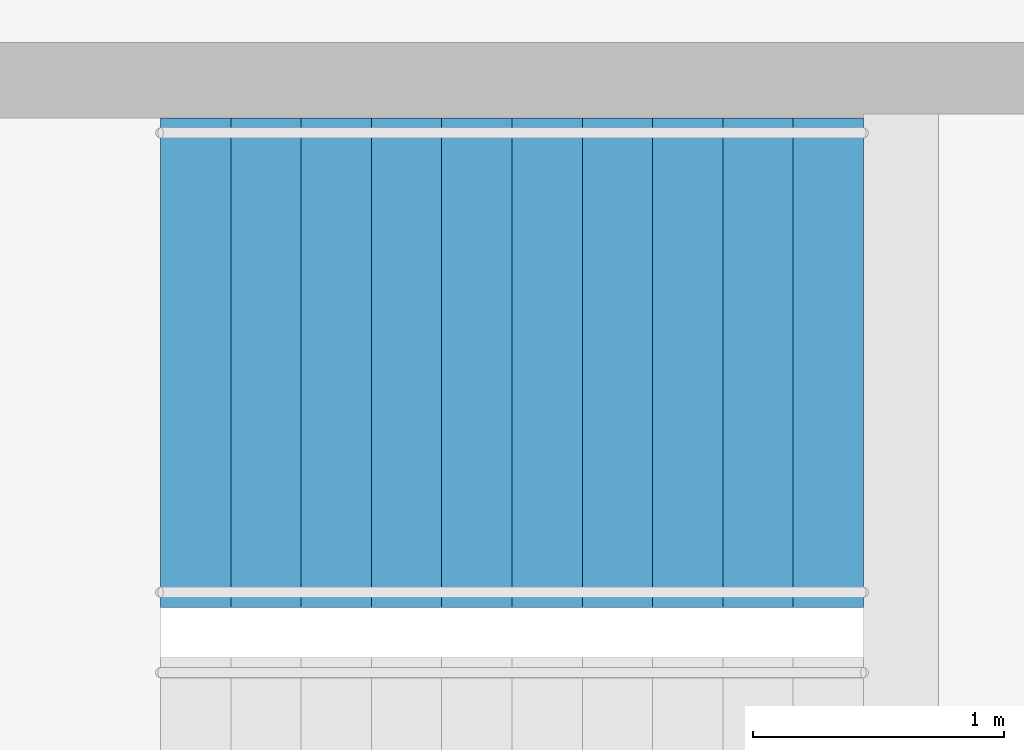
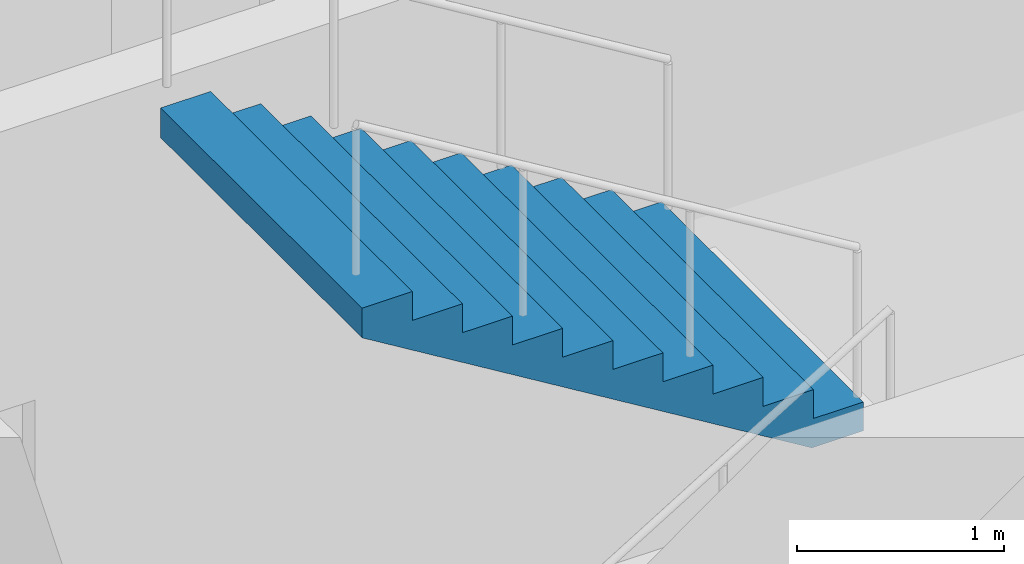
# One storey, part 22 of 27: 1 stair flight, 1 element without a shape of its own.
"""IFC4 building model written with IfcOpenShell, lengths in metres."""

from ifc_helpers import new_model, si_unit, direction, frame, origin, place, context, subcontext, project, spatial, triangles, material, type_object, element, aggregate, save


model = new_model("IFC4")

# Units and contexts
model_context = context("Model", 3, precision=1e-05, world=origin(), true_north=direction((0.0, 1.0)))
body_context = subcontext(model_context, "Body", "Model", "MODEL_VIEW")
ifc_project = project(units=[si_unit("LENGTHUNIT", "METRE"), si_unit("AREAUNIT", "SQUARE_METRE"), si_unit("VOLUMEUNIT", "CUBIC_METRE"), si_unit("PLANEANGLEUNIT", "RADIAN"), si_unit("MASSUNIT", "GRAM", prefix="KILO")], contexts=[model_context])

# Site, building, storey
site_placement = place(None, origin())
site = spatial("IfcSite", under=ifc_project, at=site_placement, CompositionType="ELEMENT")
building_placement = place(site_placement, origin())
building = spatial("IfcBuilding", under=site, at=building_placement, Name="Orbita Commons", CompositionType="ELEMENT")
storey_placement = place(building_placement, frame((0.0, 0.0, 246.550048828125)))
storey = spatial("IfcBuildingStorey", under=building, at=storey_placement, Name="L61", CompositionType="ELEMENT", Elevation=246.550048828125)

# Stair, stair flight
ifc_material_1 = material(Name="Precast concrete C40/50", Category="concrete")
stair_type = type_object("IfcStairType", Name="Exit stair S1 2 flights 11 risers 170", PredefinedType="HALF_TURN_STAIR", material=ifc_material_1)
stair_placement = place(storey_placement, origin())
stair = element("IfcStair", 1, at=stair_placement, inside=storey, type_object=stair_type, Name="Exit stair S1 L61", PredefinedType="HALF_TURN_STAIR")
ifc_material_2 = material(Name="Precast concrete C40/50", Category="concrete")
stair_flight_type = type_object("IfcStairFlightType", Name="Stair flight 11 risers 170 x 280", PredefinedType="STRAIGHT", material=ifc_material_2)
stair_flight_placement = place(storey_placement, frame((23.25, 29.27490234375, 1.875), z_axis=(0.0, 0.0, 1.0), x_axis=(-1.0, 0.0, 0.0)))
stair_flight = element("IfcStairFlight", 2, at=stair_flight_placement, type_object=stair_flight_type, Name="S1 flight 2", NumberOfRisers=11, NumberOfTreads=10, PredefinedType="STRAIGHT", RiserHeight=0.170454545, TreadLength=0.28, context=body_context, shape_type="Tessellation", body=[
    triangles([(0.0, 0.974976, 0.0), (0.0, 0.974976, 0.021307), (0.0, 0.81248, 0.021307), (0.0, 0.81248, 0.0), (0.0, 0.649984, 0.021307), (0.0, 0.649984, 0.0), (0.0, 0.487488, 0.021307), (0.0, 0.487488, 0.0), (0.0, 0.324992, 0.021307), (0.0, 0.324992, 0.0), (0.0, 0.162496, 0.021307), (0.0, 0.162496, 0.0), (0.0, 0.0, 0.021307), (0.0, 0.0, 0.0), (0.0, -0.162496, 0.021307), (0.0, -0.162496, 0.0), (0.0, -0.324992, 0.021307), (0.0, -0.324992, 0.0), (0.0, -0.487488, 0.021307), (0.0, -0.487488, 0.0), (0.0, -0.649984, 0.021307), (0.0, -0.649984, 0.0), (0.0, -0.81248, 0.021307), (0.0, -0.81248, 0.0), (0.0, -0.974976, 0.021307), (0.0, -0.974976, 0.0), (0.0, 0.974976, 0.042614), (0.0, 0.81248, 0.042614), (0.0, 0.649984, 0.042614), (0.0, 0.487488, 0.042614), (0.0, 0.324992, 0.042614), (0.0, 0.162496, 0.042614), (0.0, 0.0, 0.042614), (0.0, -0.162496, 0.042614), (0.0, -0.324992, 0.042614), (0.0, -0.487488, 0.042614), (0.0, -0.649984, 0.042614), (0.0, -0.81248, 0.042614), (0.0, -0.974976, 0.042614), (0.0, 0.974976, 0.06392), (0.0, 0.81248, 0.06392), (0.0, 0.649984, 0.06392), (0.0, 0.487488, 0.06392), (0.0, 0.324992, 0.06392), (0.0, 0.162496, 0.06392), (0.0, 0.0, 0.06392), (0.0, -0.162496, 0.06392), (0.0, -0.324992, 0.06392), (0.0, -0.487488, 0.06392), (0.0, -0.649984, 0.06392), (0.0, -0.81248, 0.06392), (0.0, -0.974976, 0.06392), (0.0, 0.974976, 0.085227), (0.0, 0.81248, 0.085227), (0.0, 0.649984, 0.085227), (0.0, 0.487488, 0.085227), (0.0, 0.324992, 0.085227), (0.0, 0.162496, 0.085227), (0.0, 0.0, 0.085227), (0.0, -0.162496, 0.085227), (0.0, -0.324992, 0.085227), (0.0, -0.487488, 0.085227), (0.0, -0.649984, 0.085227), (0.0, -0.81248, 0.085227), (0.0, -0.974976, 0.085227), (0.0, 0.974976, 0.106534), (0.0, 0.81248, 0.106534), (0.0, 0.649984, 0.106534), (0.0, 0.487488, 0.106534), (0.0, 0.324992, 0.106534), (0.0, 0.162496, 0.106534), (0.0, 0.0, 0.106534), (0.0, -0.162496, 0.106534), (0.0, -0.324992, 0.106534), (0.0, -0.487488, 0.106534), (0.0, -0.649984, 0.106534), (0.0, -0.81248, 0.106534), (0.0, -0.974976, 0.106534), (0.0, 0.974976, 0.127841), (0.0, 0.81248, 0.127841), (0.0, 0.649984, 0.127841), (0.0, 0.487488, 0.127841), (0.0, 0.324992, 0.127841), (0.0, 0.162496, 0.127841), (0.0, 0.0, 0.127841), (0.0, -0.162496, 0.127841), (0.0, -0.324992, 0.127841), (0.0, -0.487488, 0.127841), (0.0, -0.649984, 0.127841), (0.0, -0.81248, 0.127841), (0.0, -0.974976, 0.127841), (0.0, 0.974976, 0.149148), (0.0, 0.81248, 0.149148), (0.0, 0.649984, 0.149148), (0.0, 0.487488, 0.149148), (0.0, 0.324992, 0.149148), (0.0, 0.162496, 0.149148), (0.0, 0.0, 0.149148), (0.0, -0.162496, 0.149148), (0.0, -0.324992, 0.149148), (0.0, -0.487488, 0.149148), (0.0, -0.649984, 0.149148), (0.0, -0.81248, 0.149148), (0.0, -0.974976, 0.149148), (0.0, 0.974976, 0.170455), (0.0, 0.81248, 0.170455), (0.0, 0.649984, 0.170455), (0.0, 0.487488, 0.170455), (0.0, 0.324992, 0.170455), (0.0, 0.162496, 0.170455), (0.0, 0.0, 0.170455), (0.0, -0.162496, 0.170455), (0.0, -0.324992, 0.170455), (0.0, -0.487488, 0.170455), (0.0, -0.649984, 0.170455), (0.0, -0.81248, 0.170455), (0.0, -0.974976, 0.170455), (0.28, 0.974976, 0.170455), (0.28, 0.81248, 0.170455), (0.28, 0.649984, 0.170455), (0.28, 0.487488, 0.170455), (0.28, 0.324992, 0.170455), (0.28, 0.162496, 0.170455), (0.28, 0.0, 0.170455), (0.28, -0.162496, 0.170455), (0.28, -0.324992, 0.170455), (0.28, -0.487488, 0.170455), (0.28, -0.649984, 0.170455), (0.28, -0.81248, 0.170455), (0.28, -0.974976, 0.170455), (0.28, 0.974976, 0.340909), (0.28, 0.81248, 0.340909), (0.28, 0.649984, 0.340909), (0.28, 0.487488, 0.340909), (0.28, 0.324992, 0.340909), (0.28, 0.162496, 0.340909), (0.28, 0.0, 0.340909), (0.28, -0.162496, 0.340909), (0.28, -0.324992, 0.340909), (0.28, -0.487488, 0.340909), (0.28, -0.649984, 0.340909), (0.28, -0.81248, 0.340909), (0.28, -0.974976, 0.340909), (0.56, 0.974976, 0.340909), (0.56, 0.81248, 0.340909), (0.56, 0.649984, 0.340909), (0.56, 0.487488, 0.340909), (0.56, 0.324992, 0.340909), (0.56, 0.162496, 0.340909), (0.56, 0.0, 0.340909), (0.56, -0.162496, 0.340909), (0.56, -0.324992, 0.340909), (0.56, -0.487488, 0.340909), (0.56, -0.649984, 0.340909), (0.56, -0.81248, 0.340909), (0.56, -0.974976, 0.340909), (0.56, 0.974976, 0.511364), (0.56, 0.81248, 0.511364), (0.56, 0.649984, 0.511364), (0.56, 0.487488, 0.511364), (0.56, 0.324992, 0.511364), (0.56, 0.162496, 0.511364), (0.56, 0.0, 0.511364), (0.56, -0.162496, 0.511364), (0.56, -0.324992, 0.511364), (0.56, -0.487488, 0.511364), (0.56, -0.649984, 0.511364), (0.56, -0.81248, 0.511364), (0.56, -0.974976, 0.511364), (0.84, 0.974976, 0.511364), (0.84, 0.81248, 0.511364), (0.84, 0.649984, 0.511364), (0.84, 0.487488, 0.511364), (0.84, 0.324992, 0.511364), (0.84, 0.162496, 0.511364), (0.84, 0.0, 0.511364), (0.84, -0.162496, 0.511364), (0.84, -0.324992, 0.511364), (0.84, -0.487488, 0.511364), (0.84, -0.649984, 0.511364), (0.84, -0.81248, 0.511364), (0.84, -0.974976, 0.511364), (0.84, 0.974976, 0.681818), (0.84, 0.81248, 0.681818), (0.84, 0.649984, 0.681818), (0.84, 0.487488, 0.681818), (0.84, 0.324992, 0.681818), (0.84, 0.162496, 0.681818), (0.84, 0.0, 0.681818), (0.84, -0.162496, 0.681818), (0.84, -0.324992, 0.681818), (0.84, -0.487488, 0.681818), (0.84, -0.649984, 0.681818), (0.84, -0.81248, 0.681818), (0.84, -0.974976, 0.681818), (1.12, 0.974976, 0.681818), (1.12, 0.81248, 0.681818), (1.12, 0.649984, 0.681818), (1.12, 0.487488, 0.681818), (1.12, 0.324992, 0.681818), (1.12, 0.162496, 0.681818), (1.12, 0.0, 0.681818), (1.12, -0.162496, 0.681818), (1.12, -0.324992, 0.681818), (1.12, -0.487488, 0.681818), (1.12, -0.649984, 0.681818), (1.12, -0.81248, 0.681818), (1.12, -0.974976, 0.681818), (1.12, 0.974976, 0.852273), (1.12, 0.81248, 0.852273), (1.12, 0.649984, 0.852273), (1.12, 0.487488, 0.852273), (1.12, 0.324992, 0.852273), (1.12, 0.162496, 0.852273), (1.12, 0.0, 0.852273), (1.12, -0.162496, 0.852273), (1.12, -0.324992, 0.852273), (1.12, -0.487488, 0.852273), (1.12, -0.649984, 0.852273), (1.12, -0.81248, 0.852273), (1.12, -0.974976, 0.852273), (1.4, 0.974976, 0.852273), (1.4, 0.81248, 0.852273), (1.4, 0.649984, 0.852273), (1.4, 0.487488, 0.852273), (1.4, 0.324992, 0.852273), (1.4, 0.162496, 0.852273), (1.4, 0.0, 0.852273), (1.4, -0.162496, 0.852273), (1.4, -0.324992, 0.852273), (1.4, -0.487488, 0.852273), (1.4, -0.649984, 0.852273), (1.4, -0.81248, 0.852273), (1.4, -0.974976, 0.852273), (1.4, 0.974976, 1.022727), (1.4, 0.81248, 1.022727), (1.4, 0.649984, 1.022727), (1.4, 0.487488, 1.022727), (1.4, 0.324992, 1.022727), (1.4, 0.162496, 1.022727), (1.4, 0.0, 1.022727), (1.4, -0.162496, 1.022727), (1.4, -0.324992, 1.022727), (1.4, -0.487488, 1.022727), (1.4, -0.649984, 1.022727), (1.4, -0.81248, 1.022727), (1.4, -0.974976, 1.022727), (1.68, 0.974976, 1.022727), (1.68, 0.81248, 1.022727), (1.68, 0.649984, 1.022727), (1.68, 0.487488, 1.022727), (1.68, 0.324992, 1.022727), (1.68, 0.162496, 1.022727), (1.68, 0.0, 1.022727), (1.68, -0.162496, 1.022727), (1.68, -0.324992, 1.022727), (1.68, -0.487488, 1.022727), (1.68, -0.649984, 1.022727), (1.68, -0.81248, 1.022727), (1.68, -0.974976, 1.022727), (1.68, 0.974976, 1.193182), (1.68, 0.81248, 1.193182), (1.68, 0.649984, 1.193182), (1.68, 0.487488, 1.193182), (1.68, 0.324992, 1.193182), (1.68, 0.162496, 1.193182), (1.68, 0.0, 1.193182), (1.68, -0.162496, 1.193182), (1.68, -0.324992, 1.193182), (1.68, -0.487488, 1.193182), (1.68, -0.649984, 1.193182), (1.68, -0.81248, 1.193182), (1.68, -0.974976, 1.193182), (1.96, 0.974976, 1.193182), (1.96, 0.81248, 1.193182), (1.96, 0.649984, 1.193182), (1.96, 0.487488, 1.193182), (1.96, 0.324992, 1.193182), (1.96, 0.162496, 1.193182), (1.96, 0.0, 1.193182), (1.96, -0.162496, 1.193182), (1.96, -0.324992, 1.193182), (1.96, -0.487488, 1.193182), (1.96, -0.649984, 1.193182), (1.96, -0.81248, 1.193182), (1.96, -0.974976, 1.193182), (1.96, 0.974976, 1.363636), (1.96, 0.81248, 1.363636), (1.96, 0.649984, 1.363636), (1.96, 0.487488, 1.363636), (1.96, 0.324992, 1.363636), (1.96, 0.162496, 1.363636), (1.96, 0.0, 1.363636), (1.96, -0.162496, 1.363636), (1.96, -0.324992, 1.363636), (1.96, -0.487488, 1.363636), (1.96, -0.649984, 1.363636), (1.96, -0.81248, 1.363636), (1.96, -0.974976, 1.363636), (2.24, 0.974976, 1.363636), (2.24, 0.81248, 1.363636), (2.24, 0.649984, 1.363636), (2.24, 0.487488, 1.363636), (2.24, 0.324992, 1.363636), (2.24, 0.162496, 1.363636), (2.24, 0.0, 1.363636), (2.24, -0.162496, 1.363636), (2.24, -0.324992, 1.363636), (2.24, -0.487488, 1.363636), (2.24, -0.649984, 1.363636), (2.24, -0.81248, 1.363636), (2.24, -0.974976, 1.363636), (2.24, 0.974976, 1.534091), (2.24, 0.81248, 1.534091), (2.24, 0.649984, 1.534091), (2.24, 0.487488, 1.534091), (2.24, 0.324992, 1.534091), (2.24, 0.162496, 1.534091), (2.24, 0.0, 1.534091), (2.24, -0.162496, 1.534091), (2.24, -0.324992, 1.534091), (2.24, -0.487488, 1.534091), (2.24, -0.649984, 1.534091), (2.24, -0.81248, 1.534091), (2.24, -0.974976, 1.534091), (2.52, 0.974976, 1.534091), (2.52, 0.81248, 1.534091), (2.52, 0.649984, 1.534091), (2.52, 0.487488, 1.534091), (2.52, 0.324992, 1.534091), (2.52, 0.162496, 1.534091), (2.52, 0.0, 1.534091), (2.52, -0.162496, 1.534091), (2.52, -0.324992, 1.534091), (2.52, -0.487488, 1.534091), (2.52, -0.649984, 1.534091), (2.52, -0.81248, 1.534091), (2.52, -0.974976, 1.534091), (2.52, 0.974976, 1.704545), (2.52, 0.81248, 1.704545), (2.52, 0.649984, 1.704545), (2.52, 0.487488, 1.704545), (2.52, 0.324992, 1.704545), (2.52, 0.162496, 1.704545), (2.52, 0.0, 1.704545), (2.52, -0.162496, 1.704545), (2.52, -0.324992, 1.704545), (2.52, -0.487488, 1.704545), (2.52, -0.649984, 1.704545), (2.52, -0.81248, 1.704545), (2.52, -0.974976, 1.704545), (2.8, 0.974976, 1.704545), (2.8, 0.81248, 1.704545), (2.8, 0.649984, 1.704545), (2.8, 0.487488, 1.704545), (2.8, 0.324992, 1.704545), (2.8, 0.162496, 1.704545), (2.8, 0.0, 1.704545), (2.8, -0.162496, 1.704545), (2.8, -0.324992, 1.704545), (2.8, -0.487488, 1.704545), (2.8, -0.649984, 1.704545), (2.8, -0.81248, 1.704545), (2.8, -0.974976, 1.704545), (2.8, 0.974976, 1.682609), (2.8, 0.81248, 1.682609), (2.8, 0.649984, 1.682609), (2.8, 0.487488, 1.682609), (2.8, 0.324992, 1.682609), (2.8, 0.162496, 1.682609), (2.8, 0.0, 1.682609), (2.8, -0.162496, 1.682609), (2.8, -0.324992, 1.682609), (2.8, -0.487488, 1.682609), (2.8, -0.649984, 1.682609), (2.8, -0.81248, 1.682609), (2.8, -0.974976, 1.682609), (2.8, 0.974976, 1.660672), (2.8, 0.81248, 1.660672), (2.8, 0.649984, 1.660672), (2.8, 0.487488, 1.660672), (2.8, 0.324992, 1.660672), (2.8, 0.162496, 1.660672), (2.8, 0.0, 1.660672), (2.8, -0.162496, 1.660672), (2.8, -0.324992, 1.660672), (2.8, -0.487488, 1.660672), (2.8, -0.649984, 1.660672), (2.8, -0.81248, 1.660672), (2.8, -0.974976, 1.660672), (2.8, 0.974976, 1.638735), (2.8, 0.81248, 1.638735), (2.8, 0.649984, 1.638735), (2.8, 0.487488, 1.638735), (2.8, 0.324992, 1.638735), (2.8, 0.162496, 1.638735), (2.8, 0.0, 1.638735), (2.8, -0.162496, 1.638735), (2.8, -0.324992, 1.638735), (2.8, -0.487488, 1.638735), (2.8, -0.649984, 1.638735), (2.8, -0.81248, 1.638735), (2.8, -0.974976, 1.638735), (2.8, 0.974976, 1.616798), (2.8, 0.81248, 1.616798), (2.8, 0.649984, 1.616798), (2.8, 0.487488, 1.616798), (2.8, 0.324992, 1.616798), (2.8, 0.162496, 1.616798), (2.8, 0.0, 1.616798), (2.8, -0.162496, 1.616798), (2.8, -0.324992, 1.616798), (2.8, -0.487488, 1.616798), (2.8, -0.649984, 1.616798), (2.8, -0.81248, 1.616798), (2.8, -0.974976, 1.616798), (2.8, 0.974976, 1.594861), (2.8, 0.81248, 1.594861), (2.8, 0.649984, 1.594861), (2.8, 0.487488, 1.594861), (2.8, 0.324992, 1.594861), (2.8, 0.162496, 1.594861), (2.8, 0.0, 1.594861), (2.8, -0.162496, 1.594861), (2.8, -0.324992, 1.594861), (2.8, -0.487488, 1.594861), (2.8, -0.649984, 1.594861), (2.8, -0.81248, 1.594861), (2.8, -0.974976, 1.594861), (2.8, 0.974976, 1.572925), (2.8, 0.81248, 1.572925), (2.8, 0.649984, 1.572925), (2.8, 0.487488, 1.572925), (2.8, 0.324992, 1.572925), (2.8, 0.162496, 1.572925), (2.8, 0.0, 1.572925), (2.8, -0.162496, 1.572925), (2.8, -0.324992, 1.572925), (2.8, -0.487488, 1.572925), (2.8, -0.649984, 1.572925), (2.8, -0.81248, 1.572925), (2.8, -0.974976, 1.572925), (2.8, 0.974976, 1.550988), (2.8, 0.81248, 1.550988), (2.8, 0.649984, 1.550988), (2.8, 0.487488, 1.550988), (2.8, 0.324992, 1.550988), (2.8, 0.162496, 1.550988), (2.8, 0.0, 1.550988), (2.8, -0.162496, 1.550988), (2.8, -0.324992, 1.550988), (2.8, -0.487488, 1.550988), (2.8, -0.649984, 1.550988), (2.8, -0.81248, 1.550988), (2.8, -0.974976, 1.550988), (2.8, 0.974976, 1.529051), (2.8, 0.81248, 1.529051), (2.8, 0.649984, 1.529051), (2.8, 0.487488, 1.529051), (2.8, 0.324992, 1.529051), (2.8, 0.162496, 1.529051), (2.8, 0.0, 1.529051), (2.8, -0.162496, 1.529051), (2.8, -0.324992, 1.529051), (2.8, -0.487488, 1.529051), (2.8, -0.649984, 1.529051), (2.8, -0.81248, 1.529051), (2.8, -0.974976, 1.529051), (0.288279, 0.974976, 0.0), (0.288279, 0.81248, 0.0), (0.288279, 0.649984, 0.0), (0.288279, 0.487488, 0.0), (0.288279, 0.324992, 0.0), (0.288279, 0.162496, 0.0), (0.288279, 0.0, 0.0), (0.288279, -0.162496, 0.0), (0.288279, -0.324992, 0.0), (0.288279, -0.487488, 0.0), (0.288279, -0.649984, 0.0), (0.288279, -0.81248, 0.0), (0.288279, -0.974976, 0.0)], [[3, 2, 1], [4, 3, 1], [5, 3, 4], [6, 5, 4], [7, 5, 6], [8, 7, 6], [9, 7, 8], [10, 9, 8], [11, 9, 10], [12, 11, 10], [13, 11, 12], [14, 13, 12], [15, 13, 14], [16, 15, 14], [17, 15, 16], [18, 17, 16], [19, 17, 18], [20, 19, 18], [21, 19, 20], [22, 21, 20], [23, 21, 22], [24, 23, 22], [25, 23, 24], [26, 25, 24], [28, 27, 2], [3, 28, 2], [29, 28, 3], [5, 29, 3], [30, 29, 5], [7, 30, 5], [31, 30, 7], [9, 31, 7], [32, 31, 9], [11, 32, 9], [33, 32, 11], [13, 33, 11], [34, 33, 13], [15, 34, 13], [35, 34, 15], [17, 35, 15], [36, 35, 17], [19, 36, 17], [37, 36, 19], [21, 37, 19], [38, 37, 21], [23, 38, 21], [39, 38, 23], [25, 39, 23], [41, 40, 27], [28, 41, 27], [42, 41, 28], [29, 42, 28], [43, 42, 29], [30, 43, 29], [44, 43, 30], [31, 44, 30], [45, 44, 31], [32, 45, 31], [46, 45, 32], [33, 46, 32], [47, 46, 33], [34, 47, 33], [48, 47, 34], [35, 48, 34], [49, 48, 35], [36, 49, 35], [50, 49, 36], [37, 50, 36], [51, 50, 37], [38, 51, 37], [52, 51, 38], [39, 52, 38], [54, 53, 40], [41, 54, 40], [55, 54, 41], [42, 55, 41], [56, 55, 42], [43, 56, 42], [57, 56, 43], [44, 57, 43], [58, 57, 44], [45, 58, 44], [59, 58, 45], [46, 59, 45], [60, 59, 46], [47, 60, 46], [61, 60, 47], [48, 61, 47], [62, 61, 48], [49, 62, 48], [63, 62, 49], [50, 63, 49], [64, 63, 50], [51, 64, 50], [65, 64, 51], [52, 65, 51], [67, 66, 53], [54, 67, 53], [68, 67, 54], [55, 68, 54], [69, 68, 55], [56, 69, 55], [70, 69, 56], [57, 70, 56], [71, 70, 57], [58, 71, 57], [72, 71, 58], [59, 72, 58], [73, 72, 59], [60, 73, 59], [74, 73, 60], [61, 74, 60], [75, 74, 61], [62, 75, 61], [76, 75, 62], [63, 76, 62], [77, 76, 63], [64, 77, 63], [78, 77, 64], [65, 78, 64], [80, 79, 66], [67, 80, 66], [81, 80, 67], [68, 81, 67], [82, 81, 68], [69, 82, 68], [83, 82, 69], [70, 83, 69], [84, 83, 70], [71, 84, 70], [85, 84, 71], [72, 85, 71], [86, 85, 72], [73, 86, 72], [87, 86, 73], [74, 87, 73], [88, 87, 74], [75, 88, 74], [89, 88, 75], [76, 89, 75], [90, 89, 76], [77, 90, 76], [91, 90, 77], [78, 91, 77], [93, 92, 79], [80, 93, 79], [94, 93, 80], [81, 94, 80], [95, 94, 81], [82, 95, 81], [96, 95, 82], [83, 96, 82], [97, 96, 83], [84, 97, 83], [98, 97, 84], [85, 98, 84], [99, 98, 85], [86, 99, 85], [100, 99, 86], [87, 100, 86], [101, 100, 87], [88, 101, 87], [102, 101, 88], [89, 102, 88], [103, 102, 89], [90, 103, 89], [104, 103, 90], [91, 104, 90], [106, 105, 92], [93, 106, 92], [107, 106, 93], [94, 107, 93], [108, 107, 94], [95, 108, 94], [109, 108, 95], [96, 109, 95], [110, 109, 96], [97, 110, 96], [111, 110, 97], [98, 111, 97], [112, 111, 98], [99, 112, 98], [113, 112, 99], [100, 113, 99], [114, 113, 100], [101, 114, 100], [115, 114, 101], [102, 115, 101], [116, 115, 102], [103, 116, 102], [117, 116, 103], [104, 117, 103], [119, 118, 105], [106, 119, 105], [120, 119, 106], [107, 120, 106], [121, 120, 107], [108, 121, 107], [122, 121, 108], [109, 122, 108], [123, 122, 109], [110, 123, 109], [124, 123, 110], [111, 124, 110], [125, 124, 111], [112, 125, 111], [126, 125, 112], [113, 126, 112], [127, 126, 113], [114, 127, 113], [128, 127, 114], [115, 128, 114], [129, 128, 115], [116, 129, 115], [130, 129, 116], [117, 130, 116], [132, 131, 118], [119, 132, 118], [133, 132, 119], [120, 133, 119], [134, 133, 120], [121, 134, 120], [135, 134, 121], [122, 135, 121], [136, 135, 122], [123, 136, 122], [137, 136, 123], [124, 137, 123], [138, 137, 124], [125, 138, 124], [139, 138, 125], [126, 139, 125], [140, 139, 126], [127, 140, 126], [141, 140, 127], [128, 141, 127], [142, 141, 128], [129, 142, 128], [143, 142, 129], [130, 143, 129], [145, 144, 131], [132, 145, 131], [146, 145, 132], [133, 146, 132], [147, 146, 133], [134, 147, 133], [148, 147, 134], [135, 148, 134], [149, 148, 135], [136, 149, 135], [150, 149, 136], [137, 150, 136], [151, 150, 137], [138, 151, 137], [152, 151, 138], [139, 152, 138], [153, 152, 139], [140, 153, 139], [154, 153, 140], [141, 154, 140], [155, 154, 141], [142, 155, 141], [156, 155, 142], [143, 156, 142], [158, 157, 144], [145, 158, 144], [159, 158, 145], [146, 159, 145], [160, 159, 146], [147, 160, 146], [161, 160, 147], [148, 161, 147], [162, 161, 148], [149, 162, 148], [163, 162, 149], [150, 163, 149], [164, 163, 150], [151, 164, 150], [165, 164, 151], [152, 165, 151], [166, 165, 152], [153, 166, 152], [167, 166, 153], [154, 167, 153], [168, 167, 154], [155, 168, 154], [169, 168, 155], [156, 169, 155], [171, 170, 157], [158, 171, 157], [172, 171, 158], [159, 172, 158], [173, 172, 159], [160, 173, 159], [174, 173, 160], [161, 174, 160], [175, 174, 161], [162, 175, 161], [176, 175, 162], [163, 176, 162], [177, 176, 163], [164, 177, 163], [178, 177, 164], [165, 178, 164], [179, 178, 165], [166, 179, 165], [180, 179, 166], [167, 180, 166], [181, 180, 167], [168, 181, 167], [182, 181, 168], [169, 182, 168], [184, 183, 170], [171, 184, 170], [185, 184, 171], [172, 185, 171], [186, 185, 172], [173, 186, 172], [187, 186, 173], [174, 187, 173], [188, 187, 174], [175, 188, 174], [189, 188, 175], [176, 189, 175], [190, 189, 176], [177, 190, 176], [191, 190, 177], [178, 191, 177], [192, 191, 178], [179, 192, 178], [193, 192, 179], [180, 193, 179], [194, 193, 180], [181, 194, 180], [195, 194, 181], [182, 195, 181], [197, 196, 183], [184, 197, 183], [198, 197, 184], [185, 198, 184], [199, 198, 185], [186, 199, 185], [200, 199, 186], [187, 200, 186], [201, 200, 187], [188, 201, 187], [202, 201, 188], [189, 202, 188], [203, 202, 189], [190, 203, 189], [204, 203, 190], [191, 204, 190], [205, 204, 191], [192, 205, 191], [206, 205, 192], [193, 206, 192], [207, 206, 193], [194, 207, 193], [208, 207, 194], [195, 208, 194], [210, 209, 196], [197, 210, 196], [211, 210, 197], [198, 211, 197], [212, 211, 198], [199, 212, 198], [213, 212, 199], [200, 213, 199], [214, 213, 200], [201, 214, 200], [215, 214, 201], [202, 215, 201], [216, 215, 202], [203, 216, 202], [217, 216, 203], [204, 217, 203], [218, 217, 204], [205, 218, 204], [219, 218, 205], [206, 219, 205], [220, 219, 206], [207, 220, 206], [221, 220, 207], [208, 221, 207], [223, 222, 209], [210, 223, 209], [224, 223, 210], [211, 224, 210], [225, 224, 211], [212, 225, 211], [226, 225, 212], [213, 226, 212], [227, 226, 213], [214, 227, 213], [228, 227, 214], [215, 228, 214], [229, 228, 215], [216, 229, 215], [230, 229, 216], [217, 230, 216], [231, 230, 217], [218, 231, 217], [232, 231, 218], [219, 232, 218], [233, 232, 219], [220, 233, 219], [234, 233, 220], [221, 234, 220], [236, 235, 222], [223, 236, 222], [237, 236, 223], [224, 237, 223], [238, 237, 224], [225, 238, 224], [239, 238, 225], [226, 239, 225], [240, 239, 226], [227, 240, 226], [241, 240, 227], [228, 241, 227], [242, 241, 228], [229, 242, 228], [243, 242, 229], [230, 243, 229], [244, 243, 230], [231, 244, 230], [245, 244, 231], [232, 245, 231], [246, 245, 232], [233, 246, 232], [247, 246, 233], [234, 247, 233], [249, 248, 235], [236, 249, 235], [250, 249, 236], [237, 250, 236], [251, 250, 237], [238, 251, 237], [252, 251, 238], [239, 252, 238], [253, 252, 239], [240, 253, 239], [254, 253, 240], [241, 254, 240], [255, 254, 241], [242, 255, 241], [256, 255, 242], [243, 256, 242], [257, 256, 243], [244, 257, 243], [258, 257, 244], [245, 258, 244], [259, 258, 245], [246, 259, 245], [260, 259, 246], [247, 260, 246], [262, 261, 248], [249, 262, 248], [263, 262, 249], [250, 263, 249], [264, 263, 250], [251, 264, 250], [265, 264, 251], [252, 265, 251], [266, 265, 252], [253, 266, 252], [267, 266, 253], [254, 267, 253], [268, 267, 254], [255, 268, 254], [269, 268, 255], [256, 269, 255], [270, 269, 256], [257, 270, 256], [271, 270, 257], [258, 271, 257], [272, 271, 258], [259, 272, 258], [273, 272, 259], [260, 273, 259], [275, 274, 261], [262, 275, 261], [276, 275, 262], [263, 276, 262], [277, 276, 263], [264, 277, 263], [278, 277, 264], [265, 278, 264], [279, 278, 265], [266, 279, 265], [280, 279, 266], [267, 280, 266], [281, 280, 267], [268, 281, 267], [282, 281, 268], [269, 282, 268], [283, 282, 269], [270, 283, 269], [284, 283, 270], [271, 284, 270], [285, 284, 271], [272, 285, 271], [286, 285, 272], [273, 286, 272], [288, 287, 274], [275, 288, 274], [289, 288, 275], [276, 289, 275], [290, 289, 276], [277, 290, 276], [291, 290, 277], [278, 291, 277], [292, 291, 278], [279, 292, 278], [293, 292, 279], [280, 293, 279], [294, 293, 280], [281, 294, 280], [295, 294, 281], [282, 295, 281], [296, 295, 282], [283, 296, 282], [297, 296, 283], [284, 297, 283], [298, 297, 284], [285, 298, 284], [299, 298, 285], [286, 299, 285], [301, 300, 287], [288, 301, 287], [302, 301, 288], [289, 302, 288], [303, 302, 289], [290, 303, 289], [304, 303, 290], [291, 304, 290], [305, 304, 291], [292, 305, 291], [306, 305, 292], [293, 306, 292], [307, 306, 293], [294, 307, 293], [308, 307, 294], [295, 308, 294], [309, 308, 295], [296, 309, 295], [310, 309, 296], [297, 310, 296], [311, 310, 297], [298, 311, 297], [312, 311, 298], [299, 312, 298], [314, 313, 300], [301, 314, 300], [315, 314, 301], [302, 315, 301], [316, 315, 302], [303, 316, 302], [317, 316, 303], [304, 317, 303], [318, 317, 304], [305, 318, 304], [319, 318, 305], [306, 319, 305], [320, 319, 306], [307, 320, 306], [321, 320, 307], [308, 321, 307], [322, 321, 308], [309, 322, 308], [323, 322, 309], [310, 323, 309], [324, 323, 310], [311, 324, 310], [325, 324, 311], [312, 325, 311], [327, 326, 313], [314, 327, 313], [328, 327, 314], [315, 328, 314], [329, 328, 315], [316, 329, 315], [330, 329, 316], [317, 330, 316], [331, 330, 317], [318, 331, 317], [332, 331, 318], [319, 332, 318], [333, 332, 319], [320, 333, 319], [334, 333, 320], [321, 334, 320], [335, 334, 321], [322, 335, 321], [336, 335, 322], [323, 336, 322], [337, 336, 323], [324, 337, 323], [338, 337, 324], [325, 338, 324], [340, 339, 326], [327, 340, 326], [341, 340, 327], [328, 341, 327], [342, 341, 328], [329, 342, 328], [343, 342, 329], [330, 343, 329], [344, 343, 330], [331, 344, 330], [345, 344, 331], [332, 345, 331], [346, 345, 332], [333, 346, 332], [347, 346, 333], [334, 347, 333], [348, 347, 334], [335, 348, 334], [349, 348, 335], [336, 349, 335], [350, 349, 336], [337, 350, 336], [351, 350, 337], [338, 351, 337], [353, 352, 339], [340, 353, 339], [354, 353, 340], [341, 354, 340], [355, 354, 341], [342, 355, 341], [356, 355, 342], [343, 356, 342], [357, 356, 343], [344, 357, 343], [358, 357, 344], [345, 358, 344], [359, 358, 345], [346, 359, 345], [360, 359, 346], [347, 360, 346], [361, 360, 347], [348, 361, 347], [362, 361, 348], [349, 362, 348], [363, 362, 349], [350, 363, 349], [364, 363, 350], [351, 364, 350], [366, 365, 352], [353, 366, 352], [367, 366, 353], [354, 367, 353], [368, 367, 354], [355, 368, 354], [369, 368, 355], [356, 369, 355], [370, 369, 356], [357, 370, 356], [371, 370, 357], [358, 371, 357], [372, 371, 358], [359, 372, 358], [373, 372, 359], [360, 373, 359], [374, 373, 360], [361, 374, 360], [375, 374, 361], [362, 375, 361], [376, 375, 362], [363, 376, 362], [377, 376, 363], [364, 377, 363], [379, 378, 365], [366, 379, 365], [380, 379, 366], [367, 380, 366], [381, 380, 367], [368, 381, 367], [382, 381, 368], [369, 382, 368], [383, 382, 369], [370, 383, 369], [384, 383, 370], [371, 384, 370], [385, 384, 371], [372, 385, 371], [386, 385, 372], [373, 386, 372], [387, 386, 373], [374, 387, 373], [388, 387, 374], [375, 388, 374], [389, 388, 375], [376, 389, 375], [390, 389, 376], [377, 390, 376], [392, 391, 378], [379, 392, 378], [393, 392, 379], [380, 393, 379], [394, 393, 380], [381, 394, 380], [395, 394, 381], [382, 395, 381], [396, 395, 382], [383, 396, 382], [397, 396, 383], [384, 397, 383], [398, 397, 384], [385, 398, 384], [399, 398, 385], [386, 399, 385], [400, 399, 386], [387, 400, 386], [401, 400, 387], [388, 401, 387], [402, 401, 388], [389, 402, 388], [403, 402, 389], [390, 403, 389], [405, 404, 391], [392, 405, 391], [406, 405, 392], [393, 406, 392], [407, 406, 393], [394, 407, 393], [408, 407, 394], [395, 408, 394], [409, 408, 395], [396, 409, 395], [410, 409, 396], [397, 410, 396], [411, 410, 397], [398, 411, 397], [412, 411, 398], [399, 412, 398], [413, 412, 399], [400, 413, 399], [414, 413, 400], [401, 414, 400], [415, 414, 401], [402, 415, 401], [416, 415, 402], [403, 416, 402], [418, 417, 404], [405, 418, 404], [419, 418, 405], [406, 419, 405], [420, 419, 406], [407, 420, 406], [421, 420, 407], [408, 421, 407], [422, 421, 408], [409, 422, 408], [423, 422, 409], [410, 423, 409], [424, 423, 410], [411, 424, 410], [425, 424, 411], [412, 425, 411], [426, 425, 412], [413, 426, 412], [427, 426, 413], [414, 427, 413], [428, 427, 414], [415, 428, 414], [429, 428, 415], [416, 429, 415], [431, 430, 417], [418, 431, 417], [432, 431, 418], [419, 432, 418], [433, 432, 419], [420, 433, 419], [434, 433, 420], [421, 434, 420], [435, 434, 421], [422, 435, 421], [436, 435, 422], [423, 436, 422], [437, 436, 423], [424, 437, 423], [438, 437, 424], [425, 438, 424], [439, 438, 425], [426, 439, 425], [440, 439, 426], [427, 440, 426], [441, 440, 427], [428, 441, 427], [442, 441, 428], [429, 442, 428], [444, 443, 430], [431, 444, 430], [445, 444, 431], [432, 445, 431], [446, 445, 432], [433, 446, 432], [447, 446, 433], [434, 447, 433], [448, 447, 434], [435, 448, 434], [449, 448, 435], [436, 449, 435], [450, 449, 436], [437, 450, 436], [451, 450, 437], [438, 451, 437], [452, 451, 438], [439, 452, 438], [453, 452, 439], [440, 453, 439], [454, 453, 440], [441, 454, 440], [455, 454, 441], [442, 455, 441], [457, 456, 443], [444, 457, 443], [458, 457, 444], [445, 458, 444], [459, 458, 445], [446, 459, 445], [460, 459, 446], [447, 460, 446], [461, 460, 447], [448, 461, 447], [462, 461, 448], [449, 462, 448], [463, 462, 449], [450, 463, 449], [464, 463, 450], [451, 464, 450], [465, 464, 451], [452, 465, 451], [466, 465, 452], [453, 466, 452], [467, 466, 453], [454, 467, 453], [468, 467, 454], [455, 468, 454], [470, 469, 456], [457, 470, 456], [471, 470, 457], [458, 471, 457], [472, 471, 458], [459, 472, 458], [473, 472, 459], [460, 473, 459], [474, 473, 460], [461, 474, 460], [475, 474, 461], [462, 475, 461], [476, 475, 462], [463, 476, 462], [477, 476, 463], [464, 477, 463], [478, 477, 464], [465, 478, 464], [479, 478, 465], [466, 479, 465], [480, 479, 466], [467, 480, 466], [481, 480, 467], [468, 481, 467], [4, 1, 469], [470, 4, 469], [6, 4, 470], [471, 6, 470], [8, 6, 471], [472, 8, 471], [10, 8, 472], [473, 10, 472], [12, 10, 473], [474, 12, 473], [14, 12, 474], [475, 14, 474], [16, 14, 475], [476, 16, 475], [18, 16, 476], [477, 18, 476], [20, 18, 477], [478, 20, 477], [22, 20, 478], [479, 22, 478], [24, 22, 479], [480, 24, 479], [26, 24, 480], [481, 26, 480], [456, 469, 1], [26, 481, 468], [443, 456, 1], [26, 468, 455], [430, 443, 1], [26, 455, 442], [417, 430, 1], [26, 442, 429], [404, 417, 1], [26, 429, 416], [391, 404, 1], [26, 416, 403], [378, 391, 1], [26, 403, 390], [365, 378, 1], [26, 390, 377], [339, 352, 365], [377, 364, 351], [326, 339, 365], [377, 351, 338], [300, 313, 326], [338, 325, 312], [300, 326, 365], [377, 338, 312], [274, 287, 300], [312, 299, 286], [274, 300, 365], [377, 312, 286], [248, 261, 274], [286, 273, 260], [248, 274, 365], [377, 286, 260], [222, 235, 248], [260, 247, 234], [222, 248, 365], [377, 260, 234], [196, 209, 222], [234, 221, 208], [196, 222, 365], [377, 234, 208], [170, 183, 196], [208, 195, 182], [170, 196, 365], [377, 208, 182], [144, 157, 170], [182, 169, 156], [144, 170, 365], [377, 182, 156], [118, 131, 144], [156, 143, 130], [118, 144, 365], [377, 156, 130], [118, 365, 1], [26, 377, 130], [92, 105, 118], [130, 117, 104], [79, 92, 118], [130, 104, 91], [66, 79, 118], [130, 91, 78], [53, 66, 118], [130, 78, 65], [40, 53, 118], [130, 65, 52], [27, 40, 118], [130, 52, 39], [2, 27, 118], [130, 39, 25], [1, 2, 118], [130, 25, 26]], closed=True),
])
aggregate(stair, [stair_flight])

save(model, "model.ifc")
